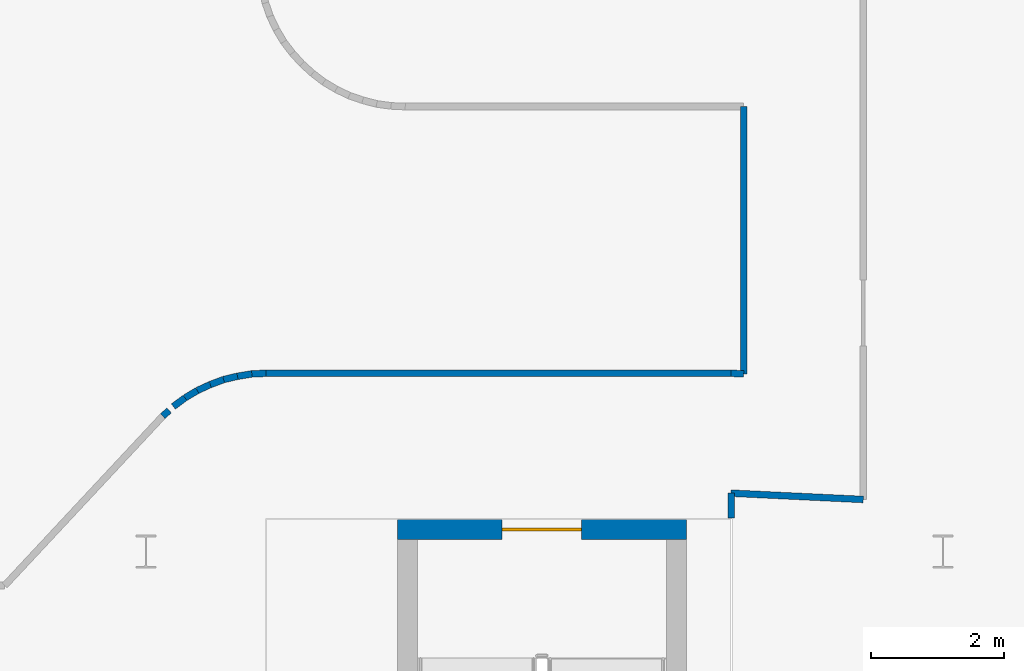
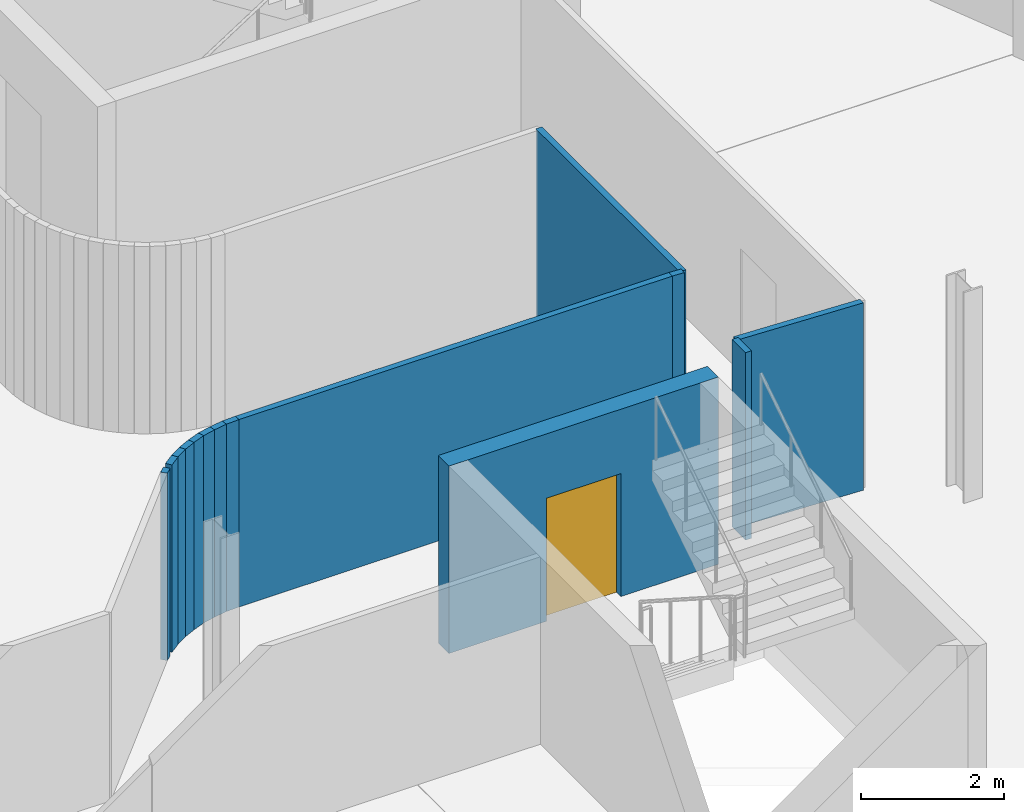
# One storey, part 17 of 29: 14 walls, 1 door, 1 opening.
"""IFC4 building model written with IfcOpenShell, lengths in metres."""

from ifc_helpers import new_model, si_unit, direction, frame, frame_2d, origin, place, context, subcontext, project, spatial, rectangle, extrude, material, layer, layer_set, type_object, element, fill, save


model = new_model("IFC4")

# Units and contexts
model_context = context("Model", 3, precision=1e-05, world=origin(), true_north=direction((0.0, 1.0)))
body_context = subcontext(model_context, "Body", "Model", "MODEL_VIEW")
ifc_project = project(units=[si_unit("LENGTHUNIT", "METRE"), si_unit("AREAUNIT", "SQUARE_METRE"), si_unit("VOLUMEUNIT", "CUBIC_METRE"), si_unit("PLANEANGLEUNIT", "RADIAN"), si_unit("MASSUNIT", "GRAM", prefix="KILO")], contexts=[model_context])

# Site, building, storey
site_placement = place(None, origin())
site = spatial("IfcSite", under=ifc_project, at=site_placement, CompositionType="ELEMENT")
building_placement = place(site_placement, origin())
building = spatial("IfcBuilding", under=site, at=building_placement, Name="Wharfspan Tower", CompositionType="ELEMENT")
storey_placement = place(building_placement, frame((0.0, 0.0, 155.5)))
storey = spatial("IfcBuildingStorey", under=building, at=storey_placement, Name="L37", CompositionType="ELEMENT", Elevation=155.5)

# Walls
ifc_material_1 = material(Name="Gypsum board on steel studs", Category="steel")
ifc_layer_1 = layer(ifc_material_1, 0.100098)
ifc_layer_set_1 = layer_set([ifc_layer_1], Name="Gypsum board on steel studs")
wall_type_1 = type_object("IfcWallType", Name="Compartment wall 100 EI 60", PredefinedType="PARTITIONING", material=ifc_layer_set_1)
wall_1_placement = place(storey_placement, frame((60.254883, 13.540039, 0.0), z_axis=(0.0, 0.0, 1.0), x_axis=(0.746144, 0.66579, 0.0)))
element("IfcWall", 1, at=wall_1_placement, inside=storey, type_object=wall_type_1, Name="Partition L37.w069", PredefinedType="PARTITIONING", context=body_context, shape_type="SweptSolid", body=[
    extrude(rectangle(XDim=0.127686, YDim=0.100098, at=frame_2d((0.063965, 0.0))), origin(), (0.0, 0.0, 1.0), 3.199951),
])
wall_2_placement = place(storey_placement, frame((60.415039, 13.685059, 0.0), z_axis=(0.0, 0.0, 1.0), x_axis=(0.803079, 0.595869, 0.0)))
element("IfcWall", 2, at=wall_2_placement, inside=storey, type_object=wall_type_1, Name="Partition L37.w070", PredefinedType="PARTITIONING", context=body_context, shape_type="SweptSolid", body=[
    extrude(rectangle(XDim=0.218018, YDim=0.100098, at=frame_2d((0.108887, 0.0))), origin(), (0.0, 0.0, 1.0), 3.199951),
])
wall_3_placement = place(storey_placement, frame((60.590088, 13.814941, 0.0), z_axis=(0.0, 0.0, 1.0), x_axis=(0.859091, 0.511823, 0.0)))
element("IfcWall", 3, at=wall_3_placement, inside=storey, type_object=wall_type_1, Name="Partition L37.w071", PredefinedType="PARTITIONING", context=body_context, shape_type="SweptSolid", body=[
    extrude(rectangle(XDim=0.215088, YDim=0.100098, at=frame_2d((0.107422, 0.0))), origin(), (0.0, 0.0, 1.0), 3.199951),
])
wall_4_placement = place(storey_placement, frame((60.774902, 13.925049, 0.0), z_axis=(0.0, 0.0, 1.0), x_axis=(0.908296, 0.418339, 0.0)))
element("IfcWall", 4, at=wall_4_placement, inside=storey, type_object=wall_type_1, Name="Partition L37.w072", PredefinedType="PARTITIONING", context=body_context, shape_type="SweptSolid", body=[
    extrude(rectangle(XDim=0.214844, YDim=0.100098, at=frame_2d((0.107422, 0.0))), origin(), (0.0, 0.0, 1.0), 3.199951),
])
wall_5_placement = place(storey_placement, frame((60.969971, 14.014893, 0.0), z_axis=(0.0, 0.0, 1.0), x_axis=(0.936, 0.352, 0.0)))
element("IfcWall", 5, at=wall_5_placement, inside=storey, type_object=wall_type_1, Name="Partition L37.w073", PredefinedType="PARTITIONING", context=body_context, shape_type="SweptSolid", body=[
    extrude(rectangle(XDim=0.213623, YDim=0.100098, at=frame_2d((0.106934, 0.0))), origin(), (0.0, 0.0, 1.0), 3.199951),
])
wall_6_placement = place(storey_placement, frame((61.169922, 14.090088, 0.0), z_axis=(0.0, 0.0, 1.0), x_axis=(0.972997, 0.230804, 0.0)))
element("IfcWall", 6, at=wall_6_placement, inside=storey, type_object=wall_type_1, Name="Partition L37.w074", PredefinedType="PARTITIONING", context=body_context, shape_type="SweptSolid", body=[
    extrude(rectangle(XDim=0.21582, YDim=0.100098, at=frame_2d((0.10791, 0.0))), origin(), (0.0, 0.0, 1.0), 3.199951),
])
wall_7_placement = place(storey_placement, frame((61.379883, 14.139893, 0.0), z_axis=(0.0, 0.0, 1.0), x_axis=(0.986904, 0.16131, 0.0)))
element("IfcWall", 7, at=wall_7_placement, inside=storey, type_object=wall_type_1, Name="Partition L37.w075", PredefinedType="PARTITIONING", context=body_context, shape_type="SweptSolid", body=[
    extrude(rectangle(XDim=0.218018, YDim=0.100098, at=frame_2d((0.108887, 0.0))), origin(), (0.0, 0.0, 1.0), 3.199951),
])
wall_8_placement = place(storey_placement, frame((61.594971, 14.175049, 0.0), z_axis=(0.0, 0.0, 1.0), x_axis=(0.998923, 0.046488, 0.0)))
element("IfcWall", 8, at=wall_8_placement, inside=storey, type_object=wall_type_1, Name="Partition L37.w076", PredefinedType="PARTITIONING", context=body_context, shape_type="SweptSolid", body=[
    extrude(rectangle(XDim=0.215332, YDim=0.100098, at=frame_2d((0.107666, 0.0))), origin(), (0.0, 0.0, 1.0), 3.199951),
])
wall_9_placement = place(storey_placement, frame((61.810059, 14.185059, 0.0), z_axis=(0.0, 0.0, 1.0), x_axis=(1.0, 0.0, 0.0)))
element("IfcWall", 9, at=wall_9_placement, inside=storey, type_object=wall_type_1, Name="Partition L37.w081", PredefinedType="PARTITIONING", context=body_context, shape_type="SweptSolid", body=[
    extrude(rectangle(XDim=7.0, YDim=0.100098, at=frame_2d((3.5, 0.0))), origin(), (0.0, 0.0, 1.0), 3.199951),
])
wall_10_placement = place(storey_placement, frame((68.810059, 12.003662, 0.0), z_axis=(0.0, 0.0, 1.0), x_axis=(0.0, 1.0, 0.0)))
element("IfcWall", 10, at=wall_10_placement, inside=storey, type_object=wall_type_1, Name="Partition L37.w097", PredefinedType="PARTITIONING", context=body_context, shape_type="SweptSolid", body=[
    extrude(rectangle(XDim=0.376221, YDim=0.100098, at=frame_2d((0.187988, 0.0))), origin(), (0.0, 0.0, 1.0), 3.199951),
])
wall_11_placement = place(storey_placement, frame((69.0, 14.175049, 0.0), z_axis=(0.0, 0.0, 1.0), x_axis=(-0.99861, 0.052626, 0.0)))
element("IfcWall", 11, at=wall_11_placement, inside=storey, type_object=wall_type_1, Name="Partition L37.w099", PredefinedType="PARTITIONING", context=body_context, shape_type="SweptSolid", body=[
    extrude(rectangle(XDim=0.190186, YDim=0.100098, at=frame_2d((0.095215, 0.0))), origin(), (0.0, 0.0, 1.0), 3.199951),
])
wall_12_placement = place(storey_placement, frame((69.0, 14.175049, 0.0), z_axis=(0.0, 0.0, 1.0), x_axis=(0.0, 1.0, 0.0)))
element("IfcWall", 12, at=wall_12_placement, inside=storey, type_object=wall_type_1, Name="Partition L37.w100", PredefinedType="PARTITIONING", context=body_context, shape_type="SweptSolid", body=[
    extrude(rectangle(XDim=4.024902, YDim=0.100098, at=frame_2d((2.012451, 0.0))), origin(), (0.0, 0.0, 1.0), 3.199951),
])
wall_13_placement = place(storey_placement, frame((70.800049, 12.284912, 0.0), z_axis=(0.0, 0.0, 1.0), x_axis=(-0.998864, 0.04767, 0.0)))
element("IfcWall", 13, at=wall_13_placement, inside=storey, type_object=wall_type_1, Name="Partition L37.w101", PredefinedType="PARTITIONING", context=body_context, shape_type="SweptSolid", body=[
    extrude(rectangle(XDim=1.992188, YDim=0.100098, at=frame_2d((0.996094, 0.0))), origin(), (0.0, 0.0, 1.0), 3.199951),
])

# Wall, opening, door
ifc_material_2 = material(Name="Concrete C40/50", Category="concrete")
ifc_layer_2 = layer(ifc_material_2, 0.300049)
ifc_layer_set_2 = layer_set([ifc_layer_2], Name="Concrete C40/50")
wall_type_2 = type_object("IfcWallType", Name="Stair core wall 300", PredefinedType="SHEAR", material=ifc_layer_set_2)
wall_14_placement = place(storey_placement, frame((63.786377, 11.83374, 0.0), z_axis=(0.0, 0.0, 1.0), x_axis=(1.0, 0.0, 0.0)))
wall_14 = element("IfcWall", 14, at=wall_14_placement, inside=storey, type_object=wall_type_2, Name="ST5 stair enclosure wall L37", PredefinedType="SHEAR", context=body_context, shape_type="SweptSolid", body=[
    extrude(rectangle(XDim=4.350098, YDim=0.300049, at=frame_2d((2.175049, 0.0))), origin(), (0.0, 0.0, 1.0), 3.199951),
])
opening_placement = place(wall_14_placement, frame((1.574951, 0.0, 0.0)))
opening = element("IfcOpeningElement", 15, at=opening_placement, cuts=wall_14, Name="Opening SD5.L37", PredefinedType="OPENING", context=body_context, shape_type="SweptSolid", body=[
    extrude(rectangle(XDim=1.199951, YDim=2.100098, at=frame_2d((0.600098, 1.050049))), frame((0.0, 0.159912, 0.0), z_axis=(0.0, -1.0, 0.0), x_axis=(1.0, 0.0, 0.0)), (0.0, 0.0, 1.0), 0.320068),
])
ifc_material_3 = material(Name="Steel door leaf", Category="steel")
door_type = type_object("IfcDoorType", Name="Stair door 1200x2100", OperationType="SINGLE_SWING_LEFT", PredefinedType="DOOR", material=ifc_material_3)
door_placement = place(opening_placement, origin())
door = element("IfcDoor", 16, at=door_placement, inside=storey, type_object=door_type, Name="sd:L37:ST5z3", OperationType="SINGLE_SWING_RIGHT", OverallHeight=2.100098, OverallWidth=1.199951, PredefinedType="DOOR", context=body_context, shape_type="SweptSolid", body=[
    extrude(rectangle(XDim=1.199951, YDim=2.100098, at=frame_2d((0.600098, 1.050049))), frame((0.0, 0.024902, 0.0), z_axis=(0.0, -1.0, 0.0), x_axis=(1.0, 0.0, 0.0)), (0.0, 0.0, 1.0), 0.050049),
])
fill(opening, door)

save(model, "model.ifc")
